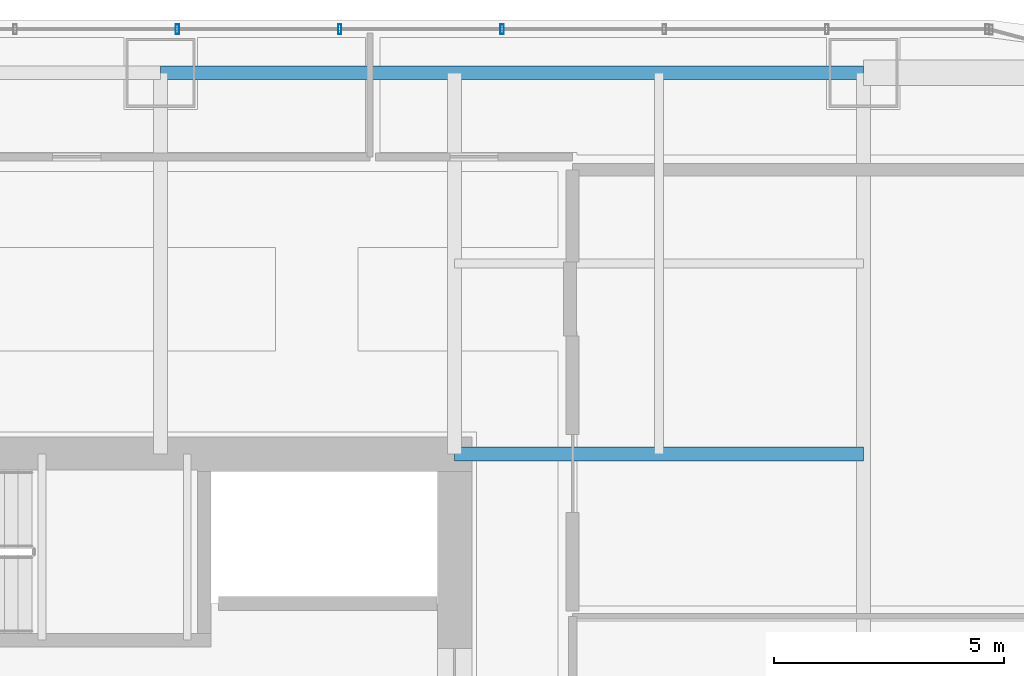
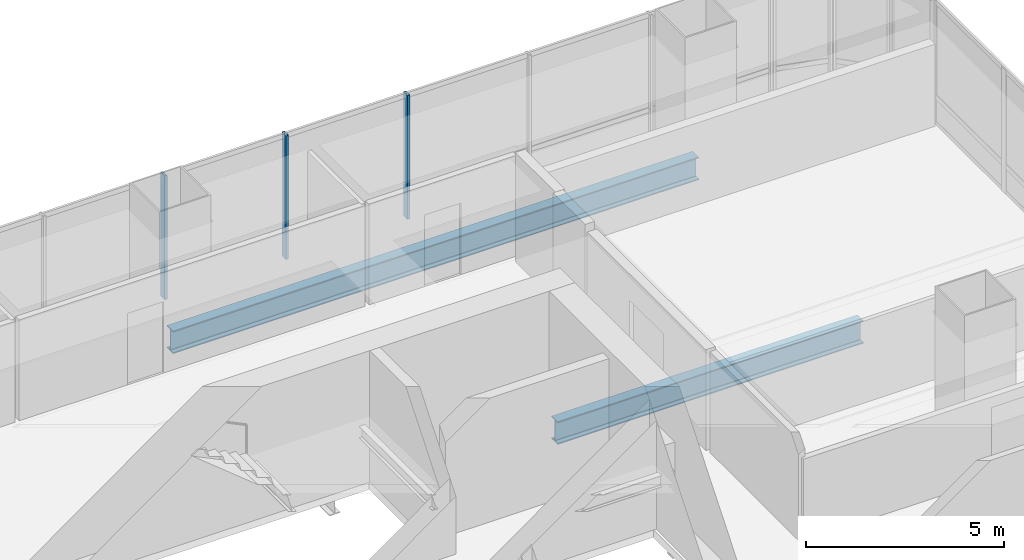
# One storey, part 22 of 34: 3 members, 2 beams, 1 element without a shape of its own.
"""IFC4 building model written with IfcOpenShell, lengths in metres."""

from ifc_helpers import new_model, si_unit, direction, frame, origin, origin_2d, place, context, subcontext, project, spatial, hollow_rectangle, i_section, extrude, material, material_profile, profile_set, type_object, element, aggregate, save


model = new_model("IFC4")

# Units and contexts
model_context = context("Model", 3, precision=1e-05, world=origin(), true_north=direction((0.0, 1.0)))
body_context = subcontext(model_context, "Body", "Model", "MODEL_VIEW")
ifc_project = project(units=[si_unit("LENGTHUNIT", "METRE"), si_unit("AREAUNIT", "SQUARE_METRE"), si_unit("VOLUMEUNIT", "CUBIC_METRE"), si_unit("PLANEANGLEUNIT", "RADIAN"), si_unit("MASSUNIT", "GRAM", prefix="KILO")], contexts=[model_context])

# Site, building, storey
site_placement = place(None, origin())
site = spatial("IfcSite", under=ifc_project, at=site_placement, CompositionType="ELEMENT")
building_placement = place(site_placement, origin())
building = spatial("IfcBuilding", under=site, at=building_placement, Name="Punatoya Terracotta Tower", CompositionType="ELEMENT")
storey_placement = place(building_placement, frame((0.0, 0.0, 80.85009765625)))
storey = spatial("IfcBuildingStorey", under=building, at=storey_placement, Name="L18", CompositionType="ELEMENT", Elevation=80.85009765625)

# Beams
ifc_material_1 = material(Name="Steel S355", Category="steel")
ifc_material_profile_1 = material_profile(ifc_material_1, i_section(OverallWidth=0.300048828125, OverallDepth=0.699951171875, WebThickness=0.01708984375, FlangeThickness=0.031982421875, FilletRadius=0.01806640625, at=origin_2d()))
ifc_profile_set_1 = profile_set([ifc_material_profile_1], Name="Steel S355")
beam_type = type_object("IfcBeamType", Name="BM-PRI-700", PredefinedType="BEAM", material=ifc_profile_set_1)
beam_1_placement = place(storey_placement, frame((3.800048828125, 17.5, -0.590087890625), z_axis=(1.0, 0.0, 0.0), x_axis=(0.0, 1.0, 0.0)))
element("IfcBeam", 1, at=beam_1_placement, inside=storey, type_object=beam_type, Name="BM-L18-RG-N3", PredefinedType="BEAM", context=body_context, shape_type="SweptSolid", body=[
    extrude(i_section(OverallWidth=0.300048828125, OverallDepth=0.699951171875, WebThickness=0.01708984375, FlangeThickness=0.031982421875, FilletRadius=0.01806640625, at=origin_2d()), origin(), (0.0, 0.0, 1.0), 15.300048828125),
])
beam_2_placement = place(storey_placement, frame((10.199951171875, 9.199951171875, -0.590087890625), z_axis=(1.0, 0.0, 0.0), x_axis=(0.0, 1.0, 0.0)))
element("IfcBeam", 2, at=beam_2_placement, inside=storey, type_object=beam_type, Name="BM-L18-PR-EN", PredefinedType="BEAM", context=body_context, shape_type="SweptSolid", body=[
    extrude(i_section(OverallWidth=0.300048828125, OverallDepth=0.699951171875, WebThickness=0.01708984375, FlangeThickness=0.031982421875, FilletRadius=0.01806640625, at=origin_2d()), origin(), (0.0, 0.0, 1.0), 8.900146484375),
])

# Curtain wall, members
ifc_material_2 = material(Name="Aluminium 6063-T6 + Double Low-E Glass", Category="aluminium")
curtain_wall_type = type_object("IfcCurtainWallType", Name="CW-M1", PredefinedType="NOTDEFINED", material=ifc_material_2)
curtain_wall_placement = place(storey_placement, origin())
curtain_wall = element("IfcCurtainWall", 3, at=curtain_wall_placement, inside=storey, type_object=curtain_wall_type, Name="L18 Curtain Wall CW-L18-N09-1", PredefinedType="NOTDEFINED")
ifc_material_3 = material(Name="Aluminium 6063-T6", Category="aluminium")
ifc_material_profile_2 = material_profile(ifc_material_3, hollow_rectangle(XDim=0.074951171875, YDim=0.2099609375, WallThickness=0.00439453125, at=origin_2d()))
ifc_profile_set_2 = profile_set([ifc_material_profile_2], Name="Aluminium 6063-T6")
member_type = type_object("IfcMemberType", Name="CW-MUL-M1", PredefinedType="MULLION", material=ifc_profile_set_2)
member_1_placement = place(storey_placement, frame((11.235107421875, 18.449951171875, 0.0), z_axis=(0.0, 0.0, 1.0), x_axis=(1.0, 0.0, 0.0)))
member_1 = element("IfcMember", 4, at=member_1_placement, type_object=member_type, Name="CW-L18-N09-1 Mullion 03", PredefinedType="MULLION", context=body_context, shape_type="SweptSolid", body=[
    extrude(hollow_rectangle(XDim=0.074951171875, YDim=0.2099609375, WallThickness=0.00439453125, at=origin_2d()), origin(), (0.0, 0.0, 1.0), 3.809814453125),
])
member_2_placement = place(storey_placement, frame((7.700927734375, 18.449951171875, 0.0), z_axis=(0.0, 0.0, 1.0), x_axis=(1.0, 0.0, 0.0)))
member_2 = element("IfcMember", 5, at=member_2_placement, type_object=member_type, Name="CW-L18-N09-1 Mullion 04", PredefinedType="MULLION", context=body_context, shape_type="SweptSolid", body=[
    extrude(hollow_rectangle(XDim=0.074951171875, YDim=0.2099609375, WallThickness=0.00439453125, at=origin_2d()), origin(), (0.0, 0.0, 1.0), 3.809814453125),
])
member_3_placement = place(storey_placement, frame((4.1669921875, 18.449951171875, 0.0), z_axis=(0.0, 0.0, 1.0), x_axis=(1.0, 0.0, 0.0)))
member_3 = element("IfcMember", 6, at=member_3_placement, type_object=member_type, Name="CW-L18-N09-1 Mullion 05", PredefinedType="MULLION", context=body_context, shape_type="SweptSolid", body=[
    extrude(hollow_rectangle(XDim=0.074951171875, YDim=0.2099609375, WallThickness=0.00439453125, at=origin_2d()), origin(), (0.0, 0.0, 1.0), 3.809814453125),
])
aggregate(curtain_wall, [member_1, member_2, member_3])

save(model, "model.ifc")
